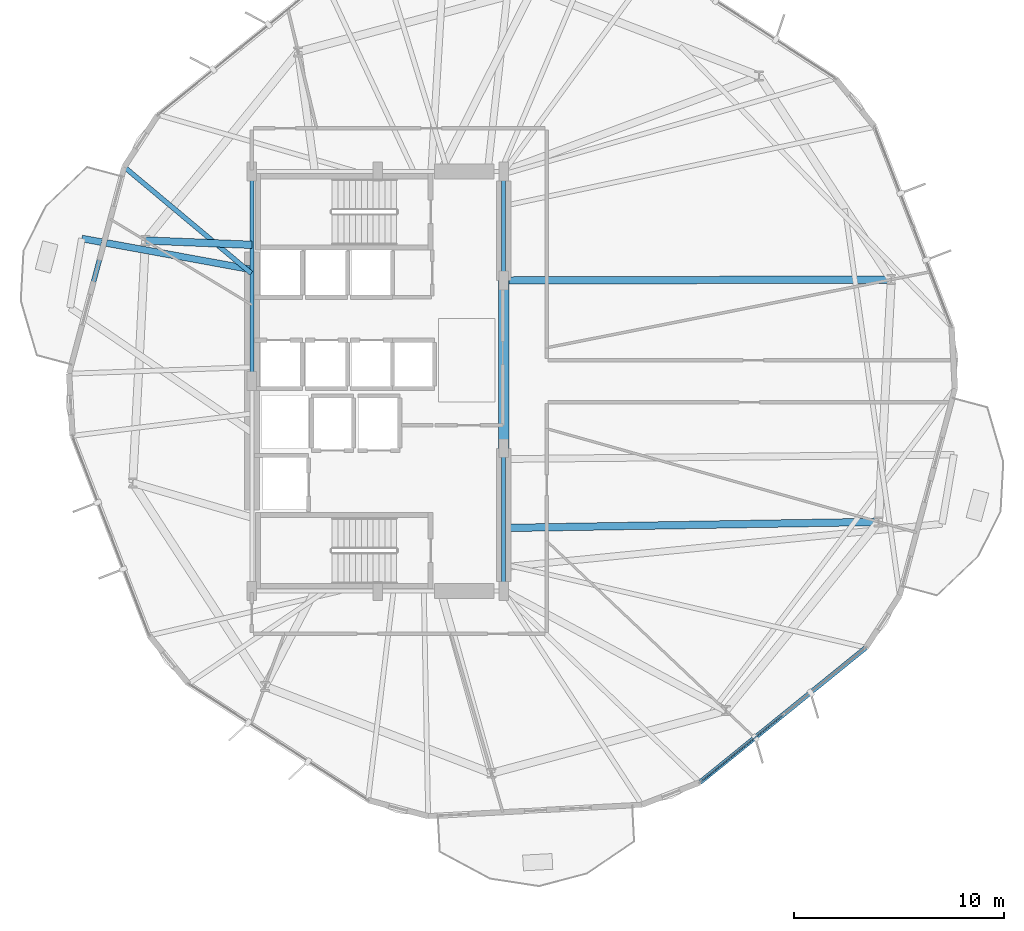
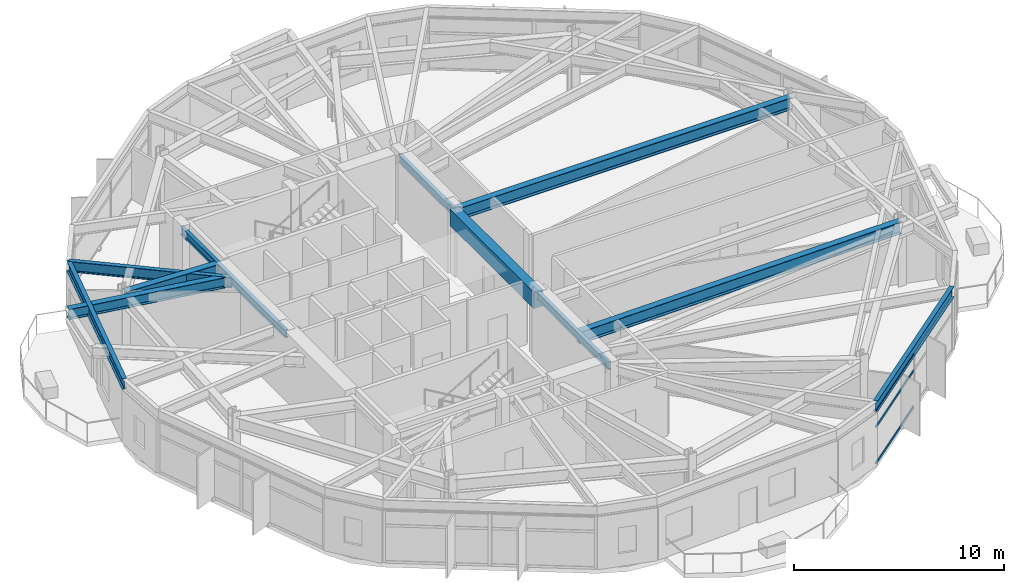
# One storey, part 8 of 23: 11 beams, 3 members, 1 element without a shape of its own.
"""IFC4 building model written with IfcOpenShell, lengths in metres."""

from ifc_helpers import new_model, si_unit, direction, frame, origin, origin_2d, place, context, subcontext, project, spatial, rectangle, hollow_rectangle, i_section, extrude, material, layer, layer_set, material_profile, profile_set, type_object, element, aggregate, save


model = new_model("IFC4")

# Units and contexts
model_context = context("Model", 3, precision=1e-05, world=origin(), true_north=direction((0.0, 1.0)))
body_context = subcontext(model_context, "Body", "Model", "MODEL_VIEW")
ifc_project = project(units=[si_unit("LENGTHUNIT", "METRE"), si_unit("AREAUNIT", "SQUARE_METRE"), si_unit("VOLUMEUNIT", "CUBIC_METRE"), si_unit("PLANEANGLEUNIT", "RADIAN"), si_unit("MASSUNIT", "GRAM", prefix="KILO")], contexts=[model_context])

# Site, building, storey
site_placement = place(None, origin())
site = spatial("IfcSite", under=ifc_project, at=site_placement, CompositionType="ELEMENT")
building_placement = place(site_placement, origin())
building = spatial("IfcBuilding", under=site, at=building_placement, Name="Soratama Intermodal Tower", CompositionType="ELEMENT")
storey_placement = place(building_placement, frame((0.0, 0.0, 38.60009765625)))
storey = spatial("IfcBuildingStorey", under=building, at=storey_placement, Name="L08", CompositionType="ELEMENT", Elevation=38.60009765625)

# Beams
ifc_material_1 = material(Name="Structural steel ASTM A992 Grade 50", Category="steel")
ifc_material_profile_1 = material_profile(ifc_material_1, i_section(OverallWidth=0.324951171875, OverallDepth=0.615966796875, WebThickness=0.013916015625, FlangeThickness=0.021484375, FilletRadius=0.013916015625, at=origin_2d()), Name="W24X117")
ifc_profile_set_1 = profile_set([ifc_material_profile_1], Name="Structural steel ASTM A992 Grade 50")
beam_type_1 = type_object("IfcBeamType", Name="BM-CANT-W24X117", PredefinedType="BEAM", material=ifc_profile_set_1)
beam_1_placement = place(storey_placement, frame((32.56103515625, 30.327880859375, 3.391845703125), z_axis=(-0.983732434718, 0.17963990894, 0.0), x_axis=(-0.17963990894, -0.983732434718, 0.0)))
element("IfcBeam", 1, at=beam_1_placement, inside=storey, type_object=beam_type_1, Name="BM-L08-CANT-3-1", PredefinedType="BEAM", context=body_context, shape_type="SweptSolid", body=[
    extrude(i_section(OverallWidth=0.324951171875, OverallDepth=0.615966796875, WebThickness=0.013916015625, FlangeThickness=0.021484375, FilletRadius=0.013916015625, at=origin_2d()), origin(), (0.0, 0.0, 1.0), 8.200439453125),
])
ifc_material_2 = material(Name="Concrete f'c 56 MPa", Category="concrete")
ifc_material_profile_2 = material_profile(ifc_material_2, rectangle(XDim=0.5, YDim=0.949951171875, at=origin_2d()), Name="RC500X950")
ifc_profile_set_2 = profile_set([ifc_material_profile_2], Name="Concrete f'c 56 MPa")
beam_type_2 = type_object("IfcBeamType", Name="BM-CPL-RC500X950", PredefinedType="BEAM", material=ifc_profile_set_2)
beam_2_placement = place(storey_placement, frame((44.60009765625, 21.800048828125, 3.224853515625), z_axis=(0.0, 1.0, 0.0), x_axis=(-1.0, 0.0, 0.0)))
element("IfcBeam", 2, at=beam_2_placement, inside=storey, type_object=beam_type_2, Name="L08 Core Coupling Beam East", PredefinedType="BEAM", context=body_context, shape_type="SweptSolid", body=[
    extrude(rectangle(XDim=0.5, YDim=0.949951171875, at=origin_2d()), origin(), (0.0, 0.0, 1.0), 8.0),
])
ifc_material_3 = material(Name="Structural steel ASTM A992 Grade 50", Category="steel")
ifc_material_profile_3 = material_profile(ifc_material_3, i_section(OverallWidth=0.19091796875, OverallDepth=0.4599609375, WebThickness=0.010009765625, FlangeThickness=0.01611328125, FilletRadius=0.010986328125, at=origin_2d()), Name="W18X55")
ifc_profile_set_3 = profile_set([ifc_material_profile_3], Name="Structural steel ASTM A992 Grade 50")
beam_type_3 = type_object("IfcBeamType", Name="BM-FLR-W18X55", PredefinedType="BEAM", material=ifc_profile_set_3)
beam_3_placement = place(storey_placement, frame((44.60009765625, 15.0, 3.469970703125), z_axis=(0.0, 1.0, 0.0), x_axis=(-1.0, 0.0, 0.0)))
element("IfcBeam", 3, at=beam_3_placement, inside=storey, type_object=beam_type_3, Name="BM-L08-CRING-03", PredefinedType="BEAM", context=body_context, shape_type="SweptSolid", body=[
    extrude(i_section(OverallWidth=0.19091796875, OverallDepth=0.4599609375, WebThickness=0.010009765625, FlangeThickness=0.01611328125, FilletRadius=0.010986328125, at=origin_2d()), origin(), (0.0, 0.0, 1.0), 6.800048828125),
])
beam_4_placement = place(storey_placement, frame((44.60009765625, 29.800048828125, 3.469970703125), z_axis=(0.0, 1.0, 0.0), x_axis=(-1.0, 0.0, 0.0)))
element("IfcBeam", 4, at=beam_4_placement, inside=storey, type_object=beam_type_3, Name="BM-L08-CRING-05", PredefinedType="BEAM", context=body_context, shape_type="SweptSolid", body=[
    extrude(i_section(OverallWidth=0.19091796875, OverallDepth=0.4599609375, WebThickness=0.010009765625, FlangeThickness=0.01611328125, FilletRadius=0.010986328125, at=origin_2d()), origin(), (0.0, 0.0, 1.0), 5.199951171875),
])
beam_5_placement = place(storey_placement, frame((32.60009765625, 35.0, 3.469970703125), z_axis=(0.0, -1.0, 0.0), x_axis=(1.0, 0.0, 0.0)))
element("IfcBeam", 5, at=beam_5_placement, inside=storey, type_object=beam_type_3, Name="BM-L08-CRING-08", PredefinedType="BEAM", context=body_context, shape_type="SweptSolid", body=[
    extrude(i_section(OverallWidth=0.19091796875, OverallDepth=0.4599609375, WebThickness=0.010009765625, FlangeThickness=0.01611328125, FilletRadius=0.010986328125, at=origin_2d()), origin(), (0.0, 0.0, 1.0), 10.0),
])
ifc_material_4 = material(Name="Structural steel ASTM A992 Grade 50", Category="steel")
ifc_material_profile_4 = material_profile(ifc_material_4, i_section(OverallWidth=0.35498046875, OverallDepth=0.695068359375, WebThickness=0.015380859375, FlangeThickness=0.02490234375, FilletRadius=0.01611328125, at=origin_2d()), Name="W27X146")
ifc_profile_set_4 = profile_set([ifc_material_profile_4], Name="Structural steel ASTM A992 Grade 50")
beam_type_4 = type_object("IfcBeamType", Name="BM-RING-W27X146", PredefinedType="BEAM", material=ifc_profile_set_4)
beam_6_placement = place(storey_placement, frame((44.60009765625, 29.800048828125, 3.352294921875), z_axis=(0.999997046146, 0.002430575896, 0.0), x_axis=(-0.002430575896, 0.999997046146, 0.0)))
element("IfcBeam", 6, at=beam_6_placement, inside=storey, type_object=beam_type_4, Name="BM-L08-RAD-01", PredefinedType="BEAM", context=body_context, shape_type="SweptSolid", body=[
    extrude(i_section(OverallWidth=0.35498046875, OverallDepth=0.695068359375, WebThickness=0.015380859375, FlangeThickness=0.02490234375, FilletRadius=0.01611328125, at=origin_2d()), origin(), (0.0, 0.0, 1.0), 18.48193359375),
])
beam_7_placement = place(storey_placement, frame((32.60009765625, 31.5, 3.352294921875), z_axis=(-0.999153929645, 0.041126936131, 0.0), x_axis=(-0.041126936131, -0.999153929645, 0.0)))
element("IfcBeam", 7, at=beam_7_placement, inside=storey, type_object=beam_type_4, Name="BM-L08-RAD-05", PredefinedType="BEAM", context=body_context, shape_type="SweptSolid", body=[
    extrude(i_section(OverallWidth=0.35498046875, OverallDepth=0.695068359375, WebThickness=0.015380859375, FlangeThickness=0.02490234375, FilletRadius=0.01611328125, at=origin_2d()), origin(), (0.0, 0.0, 1.0), 5.08154296875),
])
beam_8_placement = place(storey_placement, frame((44.60009765625, 18.0, 3.352294921875), z_axis=(0.999867526408, 0.016276659176, 0.0), x_axis=(-0.016276659176, 0.999867526408, 0.0)))
element("IfcBeam", 8, at=beam_8_placement, inside=storey, type_object=beam_type_4, Name="BM-L08-RAD-10", PredefinedType="BEAM", context=body_context, shape_type="SweptSolid", body=[
    extrude(i_section(OverallWidth=0.35498046875, OverallDepth=0.695068359375, WebThickness=0.015380859375, FlangeThickness=0.02490234375, FilletRadius=0.01611328125, at=origin_2d()), origin(), (0.0, 0.0, 1.0), 17.87939453125),
])
ifc_material_5 = material(Name="Structural steel ASTM A992 Grade 50", Category="steel")
ifc_material_profile_5 = material_profile(ifc_material_5, i_section(OverallWidth=0.22900390625, OverallDepth=0.612060546875, WebThickness=0.011962890625, FlangeThickness=0.01953125, FilletRadius=0.012939453125, at=origin_2d()), Name="W24X84")
ifc_profile_set_5 = profile_set([ifc_material_profile_5], Name="Structural steel ASTM A992 Grade 50")
beam_type_5 = type_object("IfcBeamType", Name="BM-SPN-W24X84", PredefinedType="SPANDREL", material=ifc_profile_set_5)
beam_9_placement = place(storey_placement, frame((26.510009765625, 35.212890625, 3.393798828125), z_axis=(-0.257810107037, -0.966195605822, 0.0), x_axis=(0.966195605822, -0.257810107037, 0.0)))
element("IfcBeam", 9, at=beam_9_placement, inside=storey, type_object=beam_type_5, Name="BS-L08-F05", PredefinedType="SPANDREL", context=body_context, shape_type="SweptSolid", body=[
    extrude(i_section(OverallWidth=0.22900390625, OverallDepth=0.612060546875, WebThickness=0.011962890625, FlangeThickness=0.01953125, FilletRadius=0.012939453125, at=origin_2d()), origin(), (0.0, 0.0, 1.0), 10.201904296875),
])
beam_10_placement = place(storey_placement, frame((53.9560546875, 5.8701171875, 3.393798828125), z_axis=(0.77648575749, 0.63013480178, 0.0), x_axis=(-0.63013480178, 0.77648575749, 0.0)))
element("IfcBeam", 10, at=beam_10_placement, inside=storey, type_object=beam_type_5, Name="BS-L08-F09", PredefinedType="SPANDREL", context=body_context, shape_type="SweptSolid", body=[
    extrude(i_section(OverallWidth=0.22900390625, OverallDepth=0.612060546875, WebThickness=0.011962890625, FlangeThickness=0.01953125, FilletRadius=0.012939453125, at=origin_2d()), origin(), (0.0, 0.0, 1.0), 10.200927734375),
])
ifc_material_6 = material(Name="Structural steel ASTM A992 Grade 50", Category="steel")
ifc_material_profile_6 = material_profile(ifc_material_6, i_section(OverallWidth=0.22900390625, OverallDepth=0.612060546875, WebThickness=0.011962890625, FlangeThickness=0.01953125, FilletRadius=0.012939453125, at=origin_2d()), Name="W24X84")
ifc_profile_set_6 = profile_set([ifc_material_profile_6], Name="Structural steel ASTM A992 Grade 50")
beam_type_6 = type_object("IfcBeamType", Name="BM-TIE-W24X84", PredefinedType="BEAM", material=ifc_profile_set_6)
beam_11_placement = place(storey_placement, frame((32.569091796875, 30.14404296875, 3.393798828125), z_axis=(-0.766998883757, 0.641648433579, 0.0), x_axis=(-0.641648433579, -0.766998883757, 0.0)))
element("IfcBeam", 11, at=beam_11_placement, inside=storey, type_object=beam_type_6, Name="BM-L08-TIE0-05", PredefinedType="BEAM", context=body_context, shape_type="SweptSolid", body=[
    extrude(i_section(OverallWidth=0.22900390625, OverallDepth=0.612060546875, WebThickness=0.011962890625, FlangeThickness=0.01953125, FilletRadius=0.012939453125, at=origin_2d()), origin(), (0.0, 0.0, 1.0), 7.899658203125),
])

# Curtain wall, members
ifc_material_7 = material(Name="Double-glazed aluminium curtain wall", Category="aluminium")
ifc_layer = layer(ifc_material_7, 0.159912109375)
ifc_layer_set = layer_set([ifc_layer], Name="Double-glazed aluminium curtain wall")
curtain_wall_type = type_object("IfcCurtainWallType", Name="CW-SYS-2", PredefinedType="NOTDEFINED", material=ifc_layer_set)
curtain_wall_placement = place(storey_placement, origin())
curtain_wall = element("IfcCurtainWall", 12, at=curtain_wall_placement, inside=storey, type_object=curtain_wall_type, Name="L08 Faceted Curtain Wall F09", PredefinedType="NOTDEFINED")
ifc_material_8 = material(Name="Anodised aluminium AA 6063-T6", Category="aluminium")
ifc_material_profile_7 = material_profile(ifc_material_8, hollow_rectangle(XDim=0.06494140625, YDim=0.14990234375, WallThickness=0.0048828125, InnerFilletRadius=0.0048828125, OuterFilletRadius=0.010009765625, at=origin_2d()), Name="CWT150X65X5")
ifc_profile_set_7 = profile_set([ifc_material_profile_7], Name="Anodised aluminium AA 6063-T6")
member_type = type_object("IfcMemberType", Name="TT-CWT-1", PredefinedType="USERDEFINED", material=ifc_profile_set_7)
member_1_placement = place(storey_placement, frame((54.002685546875, 5.9072265625, 0.02978515625), z_axis=(0.77647156946, 0.630152284627, 0.0), x_axis=(-0.630152284627, 0.77647156946, 0.0)))
member_1 = element("IfcMember", 13, at=member_1_placement, type_object=member_type, Name="CW-2 transom 1.1", ObjectType="TRANSOM", PredefinedType="USERDEFINED", context=body_context, shape_type="SweptSolid", body=[
    extrude(hollow_rectangle(XDim=0.06494140625, YDim=0.14990234375, WallThickness=0.0048828125, InnerFilletRadius=0.0048828125, OuterFilletRadius=0.010009765625, at=origin_2d()), origin(), (0.0, 0.0, 1.0), 5.0107421875),
])
member_2_placement = place(storey_placement, frame((54.002685546875, 5.9072265625, 2.14990234375), z_axis=(0.77647156946, 0.630152284627, 0.0), x_axis=(-0.630152284627, 0.77647156946, 0.0)))
member_2 = element("IfcMember", 14, at=member_2_placement, type_object=member_type, Name="CW-2 transom 1.2", ObjectType="TRANSOM", PredefinedType="USERDEFINED", context=body_context, shape_type="SweptSolid", body=[
    extrude(hollow_rectangle(XDim=0.06494140625, YDim=0.14990234375, WallThickness=0.0048828125, InnerFilletRadius=0.0048828125, OuterFilletRadius=0.010009765625, at=origin_2d()), origin(), (0.0, 0.0, 1.0), 5.0107421875),
])
member_3_placement = place(storey_placement, frame((54.002685546875, 5.9072265625, 3.048828125), z_axis=(0.77647156946, 0.630152284627, 0.0), x_axis=(-0.630152284627, 0.77647156946, 0.0)))
member_3 = element("IfcMember", 15, at=member_3_placement, type_object=member_type, Name="CW-2 transom 1.3", ObjectType="TRANSOM", PredefinedType="USERDEFINED", context=body_context, shape_type="SweptSolid", body=[
    extrude(hollow_rectangle(XDim=0.06494140625, YDim=0.14990234375, WallThickness=0.0048828125, InnerFilletRadius=0.0048828125, OuterFilletRadius=0.010009765625, at=origin_2d()), origin(), (0.0, 0.0, 1.0), 5.0107421875),
])
aggregate(curtain_wall, [member_1, member_2, member_3])

save(model, "model.ifc")
